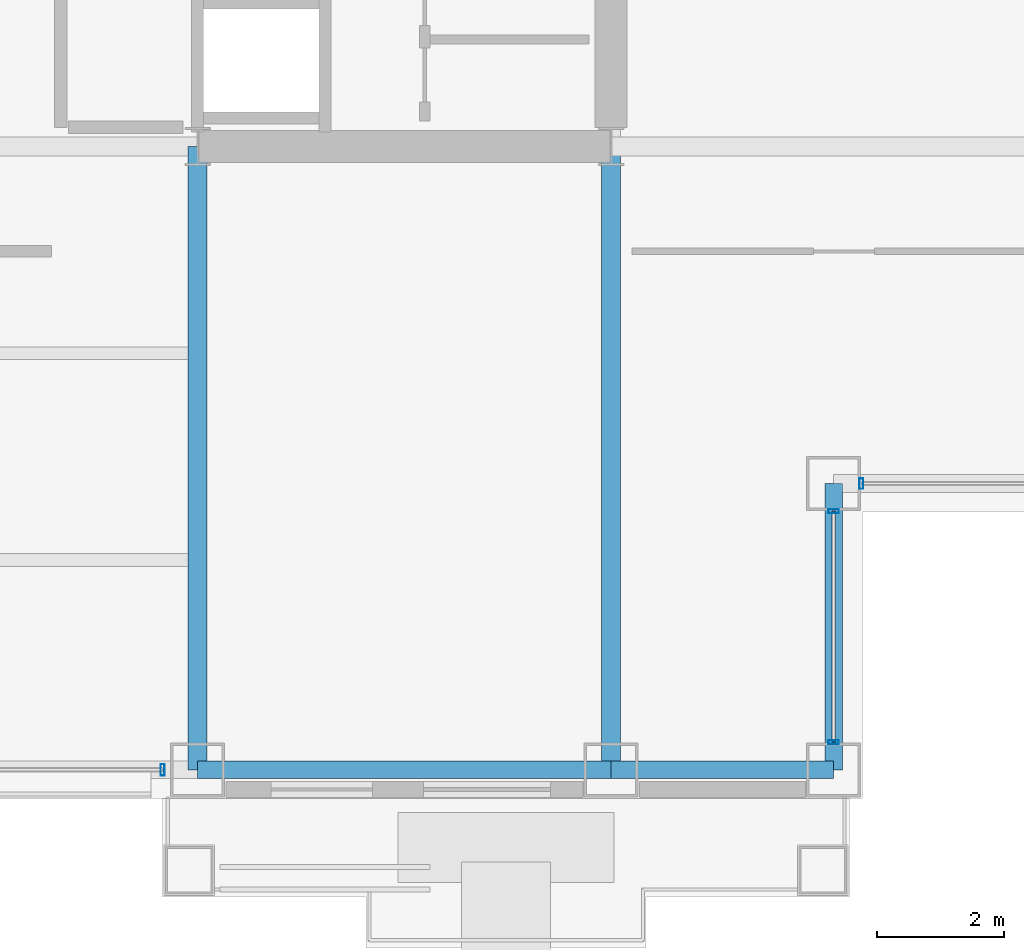
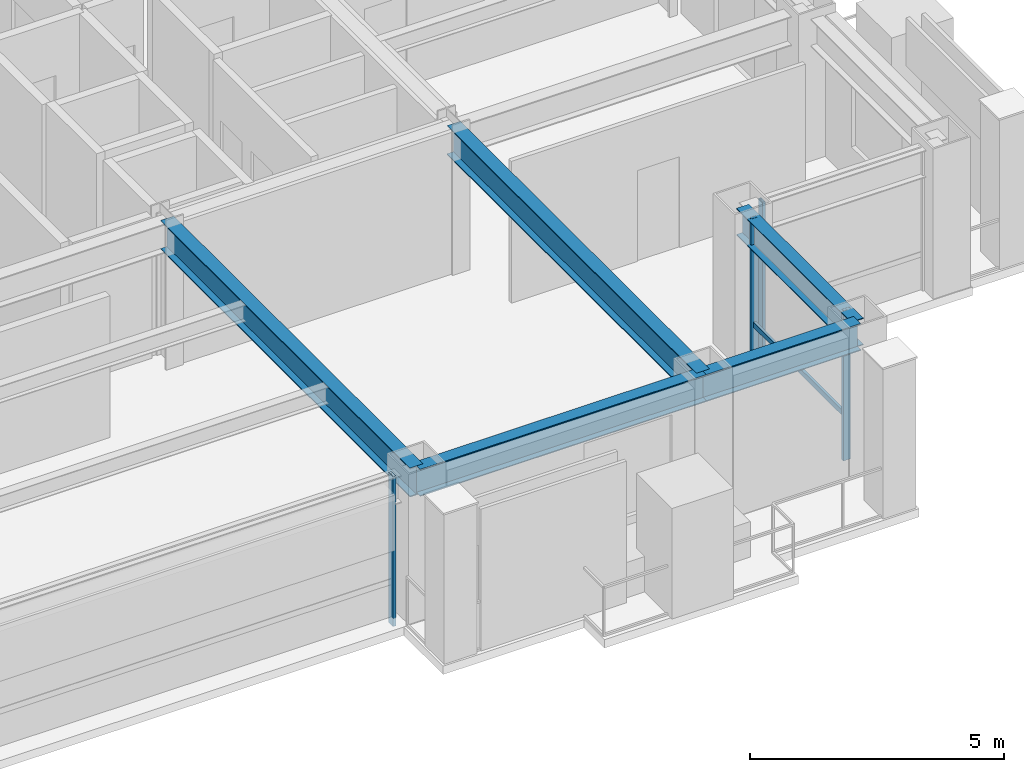
# One storey, part 11 of 32: 5 beams, 5 members, 3 elements without a shape of their own.
"""IFC4 building model written with IfcOpenShell, lengths in metres."""

from ifc_helpers import new_model, si_unit, direction, frame, origin, origin_2d, place, context, subcontext, project, spatial, hollow_rectangle, i_section, extrude, material, layer, layer_set, material_profile, profile_set, type_object, element, aggregate, save


model = new_model("IFC4")

# Units and contexts
model_context = context("Model", 3, precision=1e-05, world=origin(), true_north=direction((0.0, 1.0)))
body_context = subcontext(model_context, "Body", "Model", "MODEL_VIEW")
ifc_project = project(units=[si_unit("LENGTHUNIT", "METRE"), si_unit("AREAUNIT", "SQUARE_METRE"), si_unit("VOLUMEUNIT", "CUBIC_METRE"), si_unit("PLANEANGLEUNIT", "RADIAN"), si_unit("MASSUNIT", "GRAM", prefix="KILO")], contexts=[model_context])

# Site, building, storey
site_placement = place(None, origin())
site = spatial("IfcSite", under=ifc_project, at=site_placement, CompositionType="ELEMENT")
building_placement = place(site_placement, origin())
building = spatial("IfcBuilding", under=site, at=building_placement, Name="Brelmoor Portico Tower", CompositionType="ELEMENT")
storey_placement = place(building_placement, frame((0.0, 0.0, 109.800048828125)))
storey = spatial("IfcBuildingStorey", under=building, at=storey_placement, Name="L28", CompositionType="ELEMENT", Elevation=109.800048828125)

# Beams
ifc_material_1 = material(Name="Steel Q355B", Category="steel")
ifc_material_profile_1 = material_profile(ifc_material_1, i_section(OverallWidth=0.300048828125, OverallDepth=0.699951171875, WebThickness=0.012939453125, FlangeThickness=0.02392578125, at=origin_2d()), Name="HN 700x300x13x24")
ifc_profile_set_1 = profile_set([ifc_material_profile_1], Name="Steel Q355B")
beam_type_1 = type_object("IfcBeamType", Name="BM-PG-700", PredefinedType="BEAM", material=ifc_profile_set_1)
for number, where, z_axis, x_axis, name in (
    (1, (8.050048828125, -19.550048828125, 3.050048828125), (0.0, 1.0, 0.0), (-1.0, 0.0, 0.0), "L28 Primary Floor Girder PG-08"),
    (2, (14.550048828125, -19.550048828125, 3.050048828125), (0.0, 1.0, 0.0), (-1.0, 0.0, 0.0), "L28 Primary Floor Girder PG-10"),
):
    element("IfcBeam", number, at=place(storey_placement, frame(where, z_axis=z_axis, x_axis=x_axis)), inside=storey, type_object=beam_type_1, Name=name, PredefinedType="BEAM", context=body_context, shape_type="SweptSolid", body=[
        extrude(i_section(OverallWidth=0.300048828125, OverallDepth=0.699951171875, WebThickness=0.012939453125, FlangeThickness=0.02392578125, at=origin_2d()), origin(), (0.0, 0.0, 1.0), 9.800048828125),
    ])
ifc_material_profile_2 = material_profile(ifc_material_1, i_section(OverallWidth=0.280029296875, OverallDepth=0.64990234375, WebThickness=0.012939453125, FlangeThickness=0.02197265625, at=origin_2d()), Name="HN 650x280x13x22")
ifc_profile_set_2 = profile_set([ifc_material_profile_2], Name="Steel Q355B")
beam_type_2 = type_object("IfcBeamType", Name="BM-SP-650", PredefinedType="SPANDREL", material=ifc_profile_set_2)
beam_1_placement = place(storey_placement, frame((8.050048828125, -19.550048828125, 3.074951171875), z_axis=(1.0, 0.0, 0.0), x_axis=(0.0, 1.0, 0.0)))
element("IfcBeam", 3, at=beam_1_placement, inside=storey, type_object=beam_type_2, Name="L28 Perimeter Spandrel Beam SP-04", PredefinedType="SPANDREL", context=body_context, shape_type="SweptSolid", body=[
    extrude(i_section(OverallWidth=0.280029296875, OverallDepth=0.64990234375, WebThickness=0.012939453125, FlangeThickness=0.02197265625, at=origin_2d()), origin(), (0.0, 0.0, 1.0), 6.5),
])
beam_2_placement = place(storey_placement, frame((14.550048828125, -19.550048828125, 3.074951171875), z_axis=(1.0, 0.0, 0.0), x_axis=(0.0, 1.0, 0.0)))
element("IfcBeam", 4, at=beam_2_placement, inside=storey, type_object=beam_type_2, Name="L28 Perimeter Spandrel Beam SP-05", PredefinedType="SPANDREL", context=body_context, shape_type="SweptSolid", body=[
    extrude(i_section(OverallWidth=0.280029296875, OverallDepth=0.64990234375, WebThickness=0.012939453125, FlangeThickness=0.02197265625, at=origin_2d()), origin(), (0.0, 0.0, 1.0), 3.5),
])
beam_3_placement = place(storey_placement, frame((18.050048828125, -19.550048828125, 3.074951171875), z_axis=(0.0, 1.0, 0.0), x_axis=(-1.0, 0.0, 0.0)))
element("IfcBeam", 5, at=beam_3_placement, inside=storey, type_object=beam_type_2, Name="L28 Perimeter Spandrel Beam SP-20", PredefinedType="SPANDREL", context=body_context, shape_type="SweptSolid", body=[
    extrude(i_section(OverallWidth=0.280029296875, OverallDepth=0.64990234375, WebThickness=0.012939453125, FlangeThickness=0.02197265625, at=origin_2d()), origin(), (0.0, 0.0, 1.0), 4.5),
])

# Curtain wall, member
ifc_material_2 = material(Name="Anodised Aluminium Alloy 6063-T6", Category="aluminium")
ifc_layer_1 = layer(ifc_material_2, 0.179931640625)
ifc_layer_set_1 = layer_set([ifc_layer_1], Name="Anodised Aluminium Alloy 6063-T6")
curtain_wall_type_1 = type_object("IfcCurtainWallType", Name="CW-NOTCH-CHAMFER", PredefinedType="NOTDEFINED", material=ifc_layer_set_1)
curtain_wall_1_placement = place(storey_placement, origin())
curtain_wall_1 = element("IfcCurtainWall", 6, at=curtain_wall_1_placement, inside=storey, type_object=curtain_wall_type_1, Name="L28 Curtain Wall CWN-L28-SEH", PredefinedType="NOTDEFINED")
ifc_material_profile_3 = material_profile(ifc_material_2, hollow_rectangle(XDim=0.06494140625, YDim=0.1650390625, WallThickness=0.00390625, at=origin_2d()), Name="ALU MULLION 65x165")
ifc_profile_set_3 = profile_set([ifc_material_profile_3], Name="Anodised Aluminium Alloy 6063-T6")
member_type_1 = type_object("IfcMemberType", Name="MB-CW-MULL-165", PredefinedType="MULLION", material=ifc_profile_set_3)
member_1_placement = place(storey_placement, frame((18.485107421875, -15.050048828125, -0.199951171875), z_axis=(0.0, 0.0, 1.0), x_axis=(1.0, 0.0, 0.0)))
member_1 = element("IfcMember", 7, at=member_1_placement, type_object=member_type_1, Name="CWN-L28-SEH Mullion 00", PredefinedType="MULLION", context=body_context, shape_type="SweptSolid", body=[
    extrude(hollow_rectangle(XDim=0.06494140625, YDim=0.1650390625, WallThickness=0.00390625, at=origin_2d()), origin(), (0.0, 0.0, 1.0), 3.599853515625),
])
aggregate(curtain_wall_1, [member_1])

# Curtain wall, members
curtain_wall_2_placement = place(storey_placement, origin())
curtain_wall_2 = element("IfcCurtainWall", 8, at=curtain_wall_2_placement, inside=storey, type_object=curtain_wall_type_1, Name="L28 Curtain Wall CWN-L28-SEV", PredefinedType="NOTDEFINED")
member_2_placement = place(storey_placement, frame((18.050048828125, -19.114990234375, -0.199951171875), z_axis=(0.0, 0.0, 1.0), x_axis=(0.0, 1.0, 0.0)))
member_2 = element("IfcMember", 9, at=member_2_placement, type_object=member_type_1, Name="CWN-L28-SEV Mullion 00", PredefinedType="MULLION", context=body_context, shape_type="SweptSolid", body=[
    extrude(hollow_rectangle(XDim=0.06494140625, YDim=0.1650390625, WallThickness=0.00390625, at=origin_2d()), origin(), (0.0, 0.0, 1.0), 3.599853515625),
])
member_3_placement = place(storey_placement, frame((18.050048828125, -15.485107421875, -0.199951171875), z_axis=(0.0, 0.0, 1.0), x_axis=(0.0, 1.0, 0.0)))
member_3 = element("IfcMember", 10, at=member_3_placement, type_object=member_type_1, Name="CWN-L28-SEV Mullion 01", PredefinedType="MULLION", context=body_context, shape_type="SweptSolid", body=[
    extrude(hollow_rectangle(XDim=0.06494140625, YDim=0.1650390625, WallThickness=0.00390625, at=origin_2d()), origin(), (0.0, 0.0, 1.0), 3.599853515625),
])

# Curtain wall, member
ifc_layer_2 = layer(ifc_material_2, 0.179931640625)
ifc_layer_set_2 = layer_set([ifc_layer_2], Name="Anodised Aluminium Alloy 6063-T6")
curtain_wall_type_2 = type_object("IfcCurtainWallType", Name="CW-TOWER-Z2", PredefinedType="NOTDEFINED", material=ifc_layer_set_2)
curtain_wall_3_placement = place(storey_placement, origin())
curtain_wall_3 = element("IfcCurtainWall", 11, at=curtain_wall_3_placement, inside=storey, type_object=curtain_wall_type_2, Name="L28 Curtain Wall CW-L28-1L-3", PredefinedType="NOTDEFINED")
ifc_material_profile_4 = material_profile(ifc_material_2, hollow_rectangle(XDim=0.06494140625, YDim=0.179931640625, WallThickness=0.00390625, at=origin_2d()), Name="ALU MULLION 65x180")
ifc_profile_set_4 = profile_set([ifc_material_profile_4], Name="Anodised Aluminium Alloy 6063-T6")
member_type_2 = type_object("IfcMemberType", Name="MB-CW-MULL-180", PredefinedType="MULLION", material=ifc_profile_set_4)
member_4_placement = place(storey_placement, frame((7.5, -19.550048828125, -0.199951171875), z_axis=(0.0, 0.0, 1.0), x_axis=(1.0, 0.0, 0.0)))
member_4 = element("IfcMember", 12, at=member_4_placement, type_object=member_type_2, Name="CW-L28-1L-3 Mullion 01", PredefinedType="MULLION", context=body_context, shape_type="SweptSolid", body=[
    extrude(hollow_rectangle(XDim=0.06494140625, YDim=0.179931640625, WallThickness=0.00390625, at=origin_2d()), origin(), (0.0, 0.0, 1.0), 3.599853515625),
])
aggregate(curtain_wall_3, [member_4])

# Member
ifc_material_profile_5 = material_profile(ifc_material_2, hollow_rectangle(XDim=0.06005859375, YDim=0.125, WallThickness=0.00341796875, at=origin_2d()), Name="ALU TRANSOM 60x125")
ifc_profile_set_5 = profile_set([ifc_material_profile_5], Name="Anodised Aluminium Alloy 6063-T6")
member_type_3 = type_object("IfcMemberType", Name="MB-CW-TRAN-125", PredefinedType="USERDEFINED", material=ifc_profile_set_5)
member_5_placement = place(storey_placement, frame((18.050048828125, -19.114990234375, 0.849853515625), z_axis=(0.0, 1.0, 0.0), x_axis=(-1.0, 0.0, 0.0)))
member_5 = element("IfcMember", 13, at=member_5_placement, type_object=member_type_3, Name="CWN-L28-SEV Transom 1-00", ObjectType="TRANSOM", PredefinedType="USERDEFINED", context=body_context, shape_type="SweptSolid", body=[
    extrude(hollow_rectangle(XDim=0.06005859375, YDim=0.125, WallThickness=0.00341796875, at=origin_2d()), origin(), (0.0, 0.0, 1.0), 3.6298828125),
])

aggregate(curtain_wall_2, [member_2, member_3, member_5])

save(model, "model.ifc")
